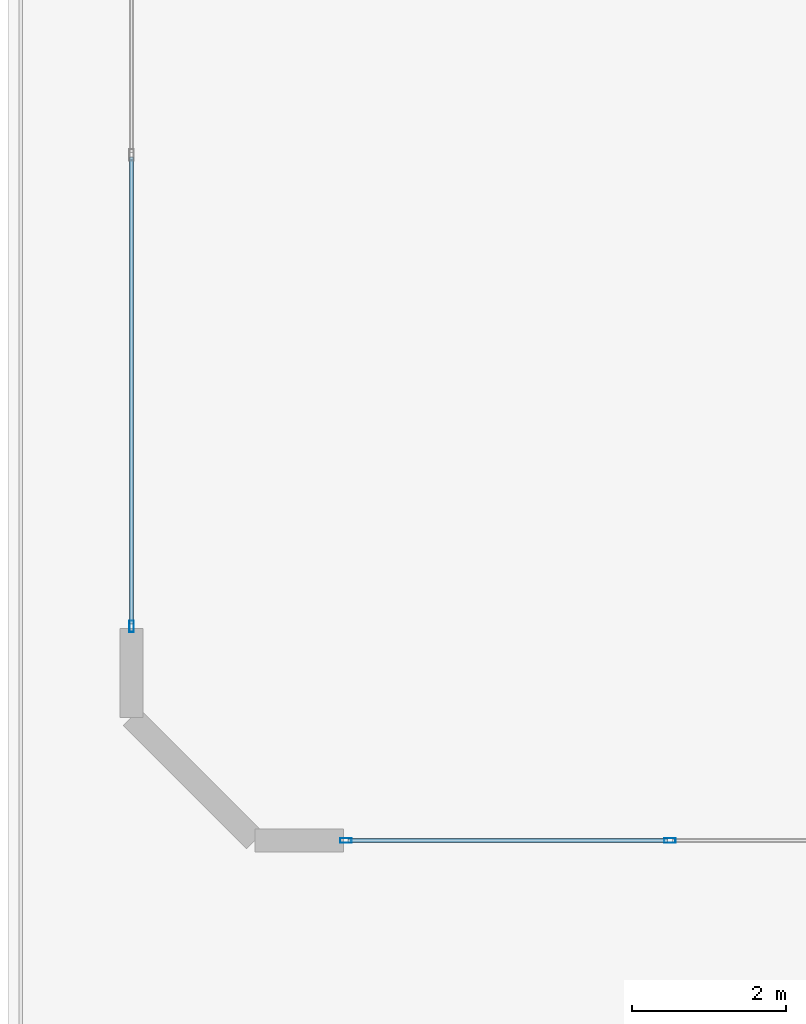
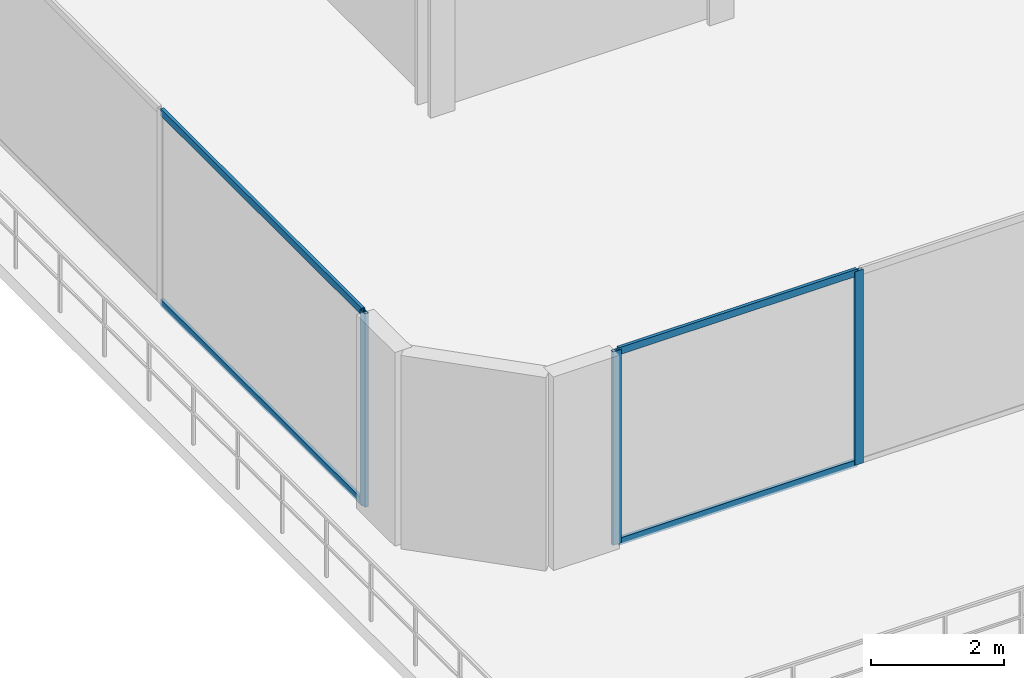
# One storey, part 2 of 16: 7 members, 2 elements without a shape of their own.
"""IFC4 building model written with IfcOpenShell, lengths in metres."""

from ifc_helpers import new_model, si_unit, direction, frame, origin, origin_2d, place, context, subcontext, project, spatial, hollow_rectangle, extrude, material, layer, layer_set, material_profile, profile_set, type_object, element, aggregate, save


model = new_model("IFC4")

# Units and contexts
model_context = context("Model", 3, precision=1e-05, world=origin(), true_north=direction((0.0, 1.0)))
body_context = subcontext(model_context, "Body", "Model", "MODEL_VIEW")
ifc_project = project(units=[si_unit("LENGTHUNIT", "METRE"), si_unit("AREAUNIT", "SQUARE_METRE"), si_unit("VOLUMEUNIT", "CUBIC_METRE"), si_unit("PLANEANGLEUNIT", "RADIAN"), si_unit("MASSUNIT", "GRAM", prefix="KILO")], contexts=[model_context])

# Site, building, storey
site_placement = place(None, origin())
site = spatial("IfcSite", under=ifc_project, at=site_placement, CompositionType="ELEMENT")
building_placement = place(site_placement, origin())
building = spatial("IfcBuilding", under=site, at=building_placement, Name="Zuhayl Quay Hotel", CompositionType="ELEMENT")
storey_placement = place(building_placement, frame((0.0, 0.0, 308.64990234375)))
storey = spatial("IfcBuildingStorey", under=building, at=storey_placement, Name="Crown 4", CompositionType="ELEMENT", Elevation=308.64990234375)

# Curtain wall, member
ifc_material_1 = material(Name="Anodised Aluminium 6063-T6", Category="aluminium")
ifc_layer = layer(ifc_material_1, 0.159912109375, Name="Anodised Aluminium 6063-T6", Category="aluminium")
ifc_layer_set = layer_set([ifc_layer], Name="Anodised Aluminium 6063-T6")
curtain_wall_type = type_object("IfcCurtainWallType", Name="CW_SYS_CRN", PredefinedType="USERDEFINED", material=ifc_layer_set)
curtain_wall_1_placement = place(storey_placement, origin())
curtain_wall_1 = element("IfcCurtainWall", 1, at=curtain_wall_1_placement, inside=storey, type_object=curtain_wall_type, Name="Crown 4 Curtain Wall ENV_CR4_E1_CW1", ObjectType="UNITISED CURTAIN WALL", PredefinedType="USERDEFINED")
ifc_material_2 = material(Name="Black-anodised aluminium 6063-T6", Category="aluminium")
ifc_material_profile_1 = material_profile(ifc_material_2, hollow_rectangle(XDim=0.06005859375, YDim=0.14990234375, WallThickness=0.00341796875, at=origin_2d()), Name="ALU150X60")
ifc_profile_set_1 = profile_set([ifc_material_profile_1], Name="Black-anodised aluminium 6063-T6")
member_type_1 = type_object("IfcMemberType", Name="MB_CW_MUL_150", PredefinedType="MULLION", material=ifc_profile_set_1)
member_1_placement = place(storey_placement, frame((-15.60009765625, 16.580078125, 0.0), z_axis=(0.0, 0.0, 1.0), x_axis=(-1.0, 0.0, 0.0)))
member_1 = element("IfcMember", 2, at=member_1_placement, type_object=member_type_1, Name="CW-CRN mullion 1", PredefinedType="MULLION", context=body_context, shape_type="SweptSolid", body=[
    extrude(hollow_rectangle(XDim=0.06005859375, YDim=0.14990234375, WallThickness=0.00341796875, at=origin_2d()), origin(), (0.0, 0.0, 1.0), 3.56005859375),
])

# Curtain wall, members
curtain_wall_2_placement = place(storey_placement, origin())
curtain_wall_2 = element("IfcCurtainWall", 3, at=curtain_wall_2_placement, inside=storey, type_object=curtain_wall_type, Name="Crown 4 Curtain Wall ENV_CR4_E7_CW2", ObjectType="UNITISED CURTAIN WALL", PredefinedType="USERDEFINED")
member_2_placement = place(storey_placement, frame((-8.612548828125, 13.800048828125, 0.0), z_axis=(0.0, 0.0, 1.0), x_axis=(0.0, -1.0, 0.0)))
member_2 = element("IfcMember", 4, at=member_2_placement, type_object=member_type_1, Name="CW-CRN mullion 2", PredefinedType="MULLION", context=body_context, shape_type="SweptSolid", body=[
    extrude(hollow_rectangle(XDim=0.06005859375, YDim=0.14990234375, WallThickness=0.00341796875, at=origin_2d()), origin(), (0.0, 0.0, 1.0), 3.56005859375),
])
member_3_placement = place(storey_placement, frame((-12.820068359375, 13.800048828125, 0.0), z_axis=(0.0, 0.0, 1.0), x_axis=(0.0, -1.0, 0.0)))
member_3 = element("IfcMember", 5, at=member_3_placement, type_object=member_type_1, Name="CW-CRN mullion 3", PredefinedType="MULLION", context=body_context, shape_type="SweptSolid", body=[
    extrude(hollow_rectangle(XDim=0.06005859375, YDim=0.14990234375, WallThickness=0.00341796875, at=origin_2d()), origin(), (0.0, 0.0, 1.0), 3.56005859375),
])

# Member
ifc_material_profile_2 = material_profile(ifc_material_2, hollow_rectangle(XDim=0.054931640625, YDim=0.1298828125, WallThickness=0.0029296875, at=origin_2d()), Name="ALU130X55")
ifc_profile_set_2 = profile_set([ifc_material_profile_2], Name="Black-anodised aluminium 6063-T6")
member_type_2 = type_object("IfcMemberType", Name="MB_CW_TRN_130", PredefinedType="USERDEFINED", material=ifc_profile_set_2)
member_4_placement = place(storey_placement, frame((-15.60009765625, 16.610107421875, 0.027587890625), z_axis=(0.0, 1.0, 0.0), x_axis=(-1.0, 0.0, 0.0)))
member_4 = element("IfcMember", 6, at=member_4_placement, type_object=member_type_2, Name="CW-CRN transom 1.1", ObjectType="TRANSOM", PredefinedType="USERDEFINED", context=body_context, shape_type="SweptSolid", body=[
    extrude(hollow_rectangle(XDim=0.054931640625, YDim=0.1298828125, WallThickness=0.0029296875, at=origin_2d()), origin(), (0.0, 0.0, 1.0), 6.059814453125),
])

member_5_placement = place(storey_placement, frame((-15.60009765625, 16.610107421875, 3.53271484375), z_axis=(0.0, 1.0, 0.0), x_axis=(-1.0, 0.0, 0.0)))
member_5 = element("IfcMember", 7, at=member_5_placement, type_object=member_type_2, Name="CW-CRN transom 1.2", ObjectType="TRANSOM", PredefinedType="USERDEFINED", context=body_context, shape_type="SweptSolid", body=[
    extrude(hollow_rectangle(XDim=0.054931640625, YDim=0.1298828125, WallThickness=0.0029296875, at=origin_2d()), origin(), (0.0, 0.0, 1.0), 6.059814453125),
])

aggregate(curtain_wall_1, [member_1, member_4, member_5])

member_6_placement = place(storey_placement, frame((-8.642578125, 13.800048828125, 0.027587890625), z_axis=(-1.0, 0.0, 0.0), x_axis=(0.0, -1.0, 0.0)))
member_6 = element("IfcMember", 8, at=member_6_placement, type_object=member_type_2, Name="CW-CRN transom 2.1", ObjectType="TRANSOM", PredefinedType="USERDEFINED", context=body_context, shape_type="SweptSolid", body=[
    extrude(hollow_rectangle(XDim=0.054931640625, YDim=0.1298828125, WallThickness=0.0029296875, at=origin_2d()), origin(), (0.0, 0.0, 1.0), 4.1474609375),
])

member_7_placement = place(storey_placement, frame((-8.642578125, 13.800048828125, 3.53271484375), z_axis=(-1.0, 0.0, 0.0), x_axis=(0.0, -1.0, 0.0)))
member_7 = element("IfcMember", 9, at=member_7_placement, type_object=member_type_2, Name="CW-CRN transom 2.2", ObjectType="TRANSOM", PredefinedType="USERDEFINED", context=body_context, shape_type="SweptSolid", body=[
    extrude(hollow_rectangle(XDim=0.054931640625, YDim=0.1298828125, WallThickness=0.0029296875, at=origin_2d()), origin(), (0.0, 0.0, 1.0), 4.1474609375),
])

aggregate(curtain_wall_2, [member_2, member_3, member_6, member_7])

save(model, "model.ifc")
